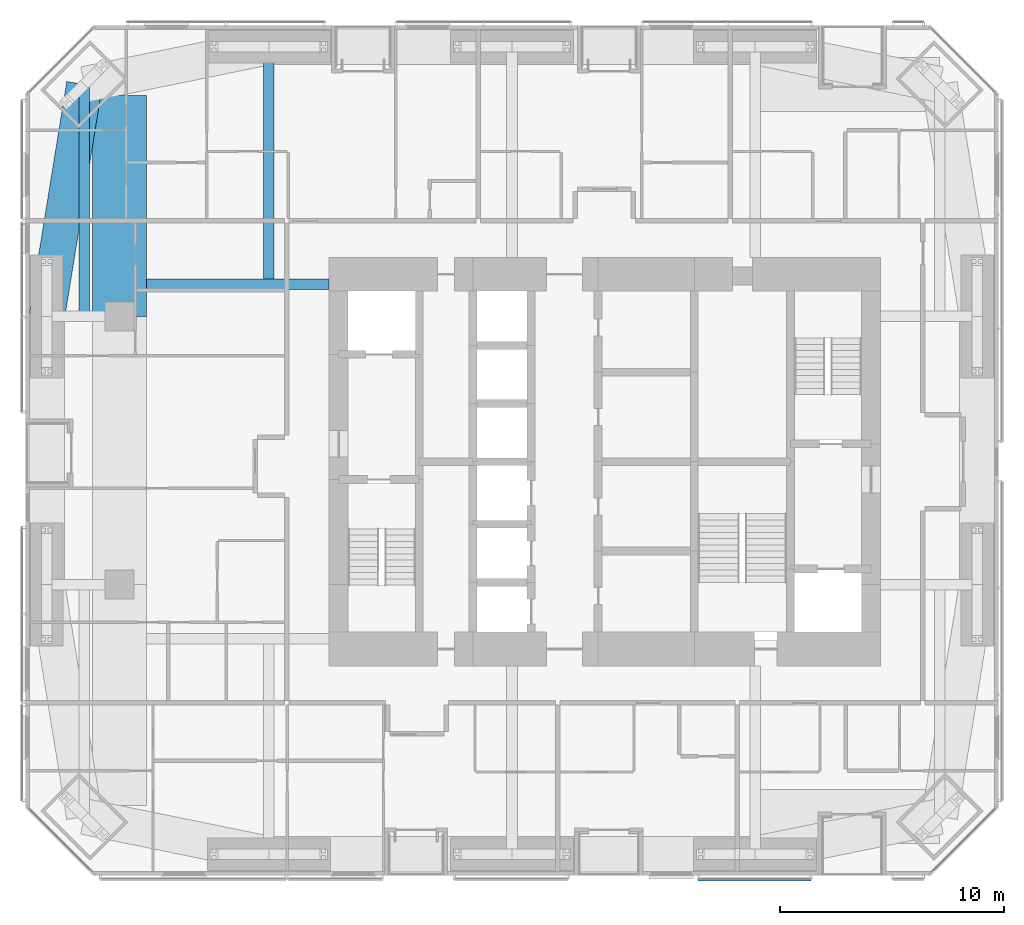
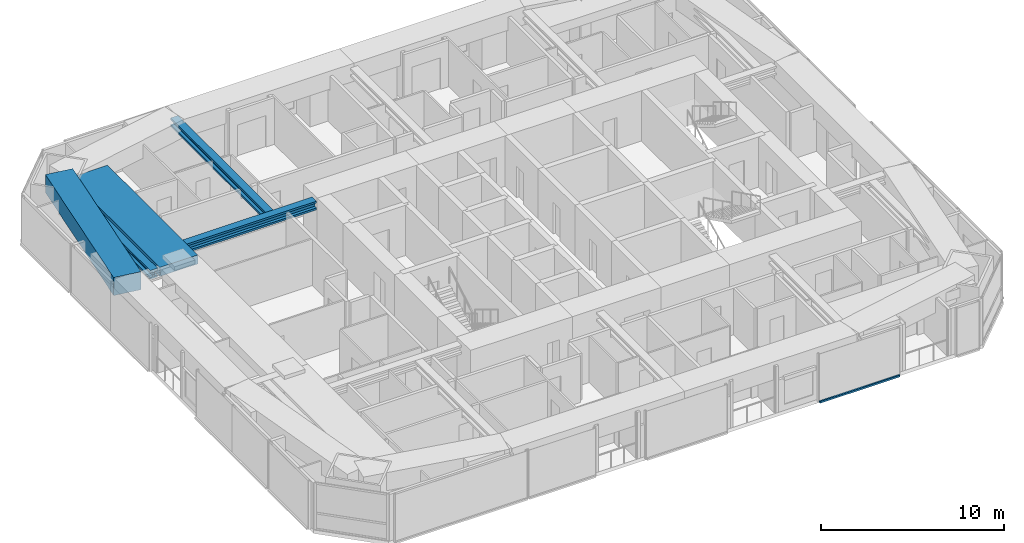
# One storey, part 7 of 23: 5 beams, 1 member, 1 element without a shape of its own.
"""IFC4 building model written with IfcOpenShell, lengths in metres."""

from ifc_helpers import new_model, si_unit, direction, frame, origin, origin_2d, place, context, subcontext, project, spatial, rectangle, i_section, extrude, material, material_profile, profile_set, type_object, element, aggregate, save


model = new_model("IFC4")

# Units and contexts
model_context = context("Model", 3, precision=1e-05, world=origin(), true_north=direction((0.0, 1.0)))
body_context = subcontext(model_context, "Body", "Model", "MODEL_VIEW")
ifc_project = project(units=[si_unit("LENGTHUNIT", "METRE"), si_unit("AREAUNIT", "SQUARE_METRE"), si_unit("VOLUMEUNIT", "CUBIC_METRE"), si_unit("PLANEANGLEUNIT", "RADIAN"), si_unit("MASSUNIT", "GRAM", prefix="KILO")], contexts=[model_context])

# Site, building, storey
site_placement = place(None, origin())
site = spatial("IfcSite", under=ifc_project, at=site_placement, CompositionType="ELEMENT")
building_placement = place(site_placement, origin())
building = spatial("IfcBuilding", under=site, at=building_placement, Name="Jalousie Tower", CompositionType="ELEMENT")
storey_placement = place(building_placement, frame((0.0, 0.0, 88.10009765625)))
storey = spatial("IfcBuildingStorey", under=building, at=storey_placement, Name="L23", CompositionType="ELEMENT", Elevation=88.10009765625)

# Beams
ifc_material_1 = material(Name="Steel ASTM A992 Grade 50", Category="steel")
ifc_material_profile_1 = material_profile(ifc_material_1, i_section(OverallWidth=0.472412109375, OverallDepth=0.5791015625, WebThickness=0.094970703125, FlangeThickness=0.1298828125, at=origin_2d()), Name="W14X808")
ifc_profile_set_1 = profile_set([ifc_material_profile_1], Name="Steel ASTM A992 Grade 50")
beam_type_1 = type_object("IfcBeamType", Name="LEAN COLLECTOR W14X808", PredefinedType="BEAM", material=ifc_profile_set_1)
beam_1_placement = place(storey_placement, frame((11.39990234375, 26.425048828125, 2.8203125), z_axis=(1.0, 0.0, 0.0), x_axis=(0.0, 1.0, 0.0)))
element("IfcBeam", 1, at=beam_1_placement, inside=storey, type_object=beam_type_1, Name="Lean collector under L24", PredefinedType="BEAM", context=body_context, shape_type="SweptSolid", body=[
    extrude(i_section(OverallWidth=0.472412109375, OverallDepth=0.5791015625, WebThickness=0.094970703125, FlangeThickness=0.1298828125, at=origin_2d()), origin(), (0.0, 0.0, 1.0), 8.175048828125),
])
beam_2_placement = place(storey_placement, frame((8.63134765625, 35.36865234375, 2.8203125), z_axis=(0.0, -1.0, 0.0), x_axis=(1.0, 0.0, 0.0)))
element("IfcBeam", 2, at=beam_2_placement, inside=storey, type_object=beam_type_1, Name="Lean collector under L24", PredefinedType="BEAM", context=body_context, shape_type="SweptSolid", body=[
    extrude(i_section(OverallWidth=0.472412109375, OverallDepth=0.5791015625, WebThickness=0.094970703125, FlangeThickness=0.1298828125, at=origin_2d()), origin(), (0.0, 0.0, 1.0), 10.36865234375),
])
beam_3_placement = place(storey_placement, frame((16.875, 37.050048828125, 2.8203125), z_axis=(0.0, -1.0, 0.0), x_axis=(1.0, 0.0, 0.0)))
element("IfcBeam", 3, at=beam_3_placement, inside=storey, type_object=beam_type_1, Name="Lean collector under L24", PredefinedType="BEAM", context=body_context, shape_type="SweptSolid", body=[
    extrude(i_section(OverallWidth=0.472412109375, OverallDepth=0.5791015625, WebThickness=0.094970703125, FlangeThickness=0.1298828125, at=origin_2d()), origin(), (0.0, 0.0, 1.0), 10.625),
])
ifc_material_2 = material(Name="Concrete f'c 40 MPa", Category="concrete")
ifc_material_profile_2 = material_profile(ifc_material_2, rectangle(XDim=1.60009765625, YDim=1.199951171875, at=origin_2d()), Name="RC 1600x1200")
ifc_profile_set_2 = profile_set([ifc_material_profile_2], Name="Concrete f'c 40 MPa")
beam_type_2 = type_object("IfcBeamType", Name="RC BEAM 1600x1200", PredefinedType="BEAM", material=ifc_profile_set_2)
beam_4_placement = place(storey_placement, frame((8.63134765625, 35.36865234375, 2.75), z_axis=(-0.160070546476, -0.987105577003, 0.0), x_axis=(0.987105577003, -0.160070546476, 0.0)))
element("IfcBeam", 4, at=beam_4_placement, inside=storey, type_object=beam_type_2, Name="Edge band beam 12-13 under L24", PredefinedType="BEAM", context=body_context, shape_type="SweptSolid", body=[
    extrude(rectangle(XDim=1.60009765625, YDim=1.199951171875, at=origin_2d()), origin(), (0.0, 0.0, 1.0), 10.504150390625),
])
ifc_material_3 = material(Name="Concrete f'c 40 MPa", Category="concrete")
ifc_material_profile_3 = material_profile(ifc_material_3, rectangle(XDim=2.39990234375, YDim=0.60009765625, at=origin_2d()), Name="RC 2400x600")
ifc_profile_set_3 = profile_set([ifc_material_profile_3], Name="Concrete f'c 40 MPa")
beam_type_3 = type_object("IfcBeamType", Name="RC BEAM 2400x600", PredefinedType="BEAM", material=ifc_profile_set_3)
beam_5_placement = place(storey_placement, frame((10.199951171875, 25.0, 2.809814453125), z_axis=(0.0, 1.0, 0.0), x_axis=(-1.0, 0.0, 0.0)))
element("IfcBeam", 5, at=beam_5_placement, inside=storey, type_object=beam_type_3, Name="Floor band beam under L24", PredefinedType="BEAM", context=body_context, shape_type="SweptSolid", body=[
    extrude(rectangle(XDim=2.39990234375, YDim=0.60009765625, at=origin_2d()), origin(), (0.0, 0.0, 1.0), 9.8720703125),
])

# Curtain wall, member
ifc_material_4 = material(Name="Perforated aluminium sheet", Category="aluminium")
curtain_wall_type = type_object("IfcCurtainWallType", Name="SOLAR SCREEN SS-1", PredefinedType="USERDEFINED", material=ifc_material_4)
curtain_wall_placement = place(storey_placement, origin())
curtain_wall = element("IfcCurtainWall", 6, at=curtain_wall_placement, inside=storey, type_object=curtain_wall_type, Name="Solar screen L23", ObjectType="SOLAR SCREEN SS-1", PredefinedType="USERDEFINED")
ifc_material_5 = material(Name="Extruded aluminium screen rail", Category="aluminium")
ifc_material_profile_4 = material_profile(ifc_material_5, rectangle(XDim=0.1015625, YDim=0.1201171875, at=origin_2d()), Name="RAIL 102x120")
ifc_profile_set_4 = profile_set([ifc_material_profile_4], Name="Extruded aluminium screen rail")
member_type = type_object("IfcMemberType", Name="SOLAR SCREEN SS-1 TRANSOM", PredefinedType="USERDEFINED", material=ifc_profile_set_4)
member_placement = place(storey_placement, frame((36.074951171875, -0.1982421875, -0.06005859375), z_axis=(1.0, 0.0, 0.0), x_axis=(0.0, 1.0, 0.0)))
member = element("IfcMember", 7, at=member_placement, type_object=member_type, Name="SS1 rail", ObjectType="TRANSOM", PredefinedType="USERDEFINED", context=body_context, shape_type="SweptSolid", body=[
    extrude(rectangle(XDim=0.1015625, YDim=0.1201171875, at=origin_2d()), origin(), (0.0, 0.0, 1.0), 5.050048828125),
])
aggregate(curtain_wall, [member])

save(model, "model.ifc")
